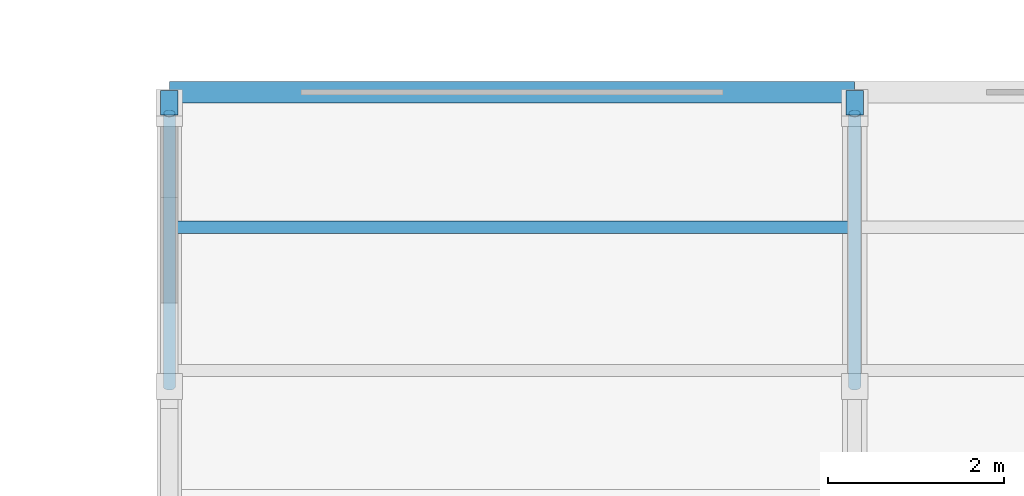
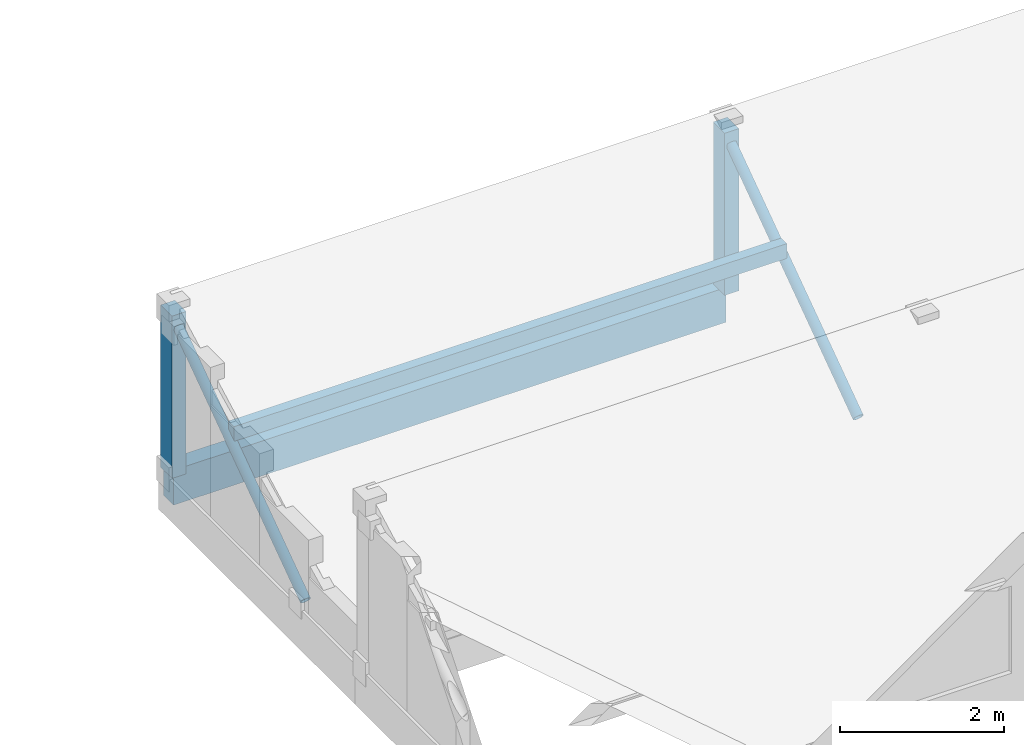
# One storey, part 19 of 81: 5 members, 1 beam.
"""IFC4 building model written with IfcOpenShell, lengths in metres."""

from ifc_helpers import new_model, si_unit, direction, frame, origin, origin_2d, place, context, subcontext, project, spatial, rectangle, hollow_circle, extrude, material, material_profile, profile_set, type_object, element, save


model = new_model("IFC4")

# Units and contexts
model_context = context("Model", 3, precision=1e-05, world=origin(), true_north=direction((0.0, 1.0)))
body_context = subcontext(model_context, "Body", "Model", "MODEL_VIEW")
ifc_project = project(units=[si_unit("LENGTHUNIT", "METRE"), si_unit("AREAUNIT", "SQUARE_METRE"), si_unit("VOLUMEUNIT", "CUBIC_METRE"), si_unit("PLANEANGLEUNIT", "RADIAN"), si_unit("MASSUNIT", "GRAM", prefix="KILO")], contexts=[model_context])

# Site, building, storey
site_placement = place(None, origin())
site = spatial("IfcSite", under=ifc_project, at=site_placement, CompositionType="ELEMENT")
building_placement = place(site_placement, origin())
building = spatial("IfcBuilding", under=site, at=building_placement, Name="Kahlenmark Community Centre", CompositionType="ELEMENT")
storey_placement = place(building_placement, frame((0.0, 0.0, 9.60009765625)))
storey = spatial("IfcBuildingStorey", under=building, at=storey_placement, Name="L02", CompositionType="ELEMENT", Elevation=9.60009765625)

# Beam
ifc_material_1 = material(Name="Glulam GL32h", Category="wood")
ifc_material_profile_1 = material_profile(ifc_material_1, rectangle(XDim=0.239990234375, YDim=0.52001953125, at=origin_2d()), Name="GL32h 240x520")
ifc_profile_set_1 = profile_set([ifc_material_profile_1], Name="Glulam GL32h")
beam_type = type_object("IfcBeamType", Name="BT-SPANDREL-GL32h240x520", PredefinedType="SPANDREL", material=ifc_profile_set_1)
beam_placement = place(storey_placement, frame((121.60009765625, 42.39990234375, -0.260009765625), z_axis=(1.0, 0.0, 0.0), x_axis=(0.0, 1.0, 0.0)))
element("IfcBeam", 1, at=beam_placement, inside=storey, type_object=beam_type, Name="L02 spandrel SP-SAW520", PredefinedType="SPANDREL", context=body_context, shape_type="SweptSolid", body=[
    extrude(rectangle(XDim=0.239990234375, YDim=0.52001953125, at=origin_2d()), origin(), (0.0, 0.0, 1.0), 7.7998046875),
])

# Members
ifc_material_2 = material(Name="Steel S355", Category="steel")
ifc_material_profile_2 = material_profile(ifc_material_2, hollow_circle(Radius=0.06982421875, WallThickness=0.00634765625, at=origin_2d()), Name="CHS 139.7x6.3")
ifc_profile_set_2 = profile_set([ifc_material_profile_2], Name="Steel S355")
member_type_1 = type_object("IfcMemberType", Name="MT-BRACE-CHS139.7x6.3", PredefinedType="BRACE", material=ifc_profile_set_2)
for number, where, z_axis, x_axis, name in (
    (2, (121.60009765625, 42.159912109375, 2.219970703125), (0.0, -0.816379526882, -0.577515773021), (1.0, 0.0, 0.0), "L02 brace SAW-DIAG"),
    (3, (129.39990234375, 42.159912109375, 2.219970703125), (0.0, -0.816379526882, -0.577515773021), (1.0, 0.0, 0.0), "L02 brace SAW-DIAG"),
):
    element("IfcMember", number, at=place(storey_placement, frame(where, z_axis=z_axis, x_axis=x_axis)), inside=storey, type_object=member_type_1, Name=name, PredefinedType="BRACE", context=body_context, shape_type="SweptSolid", body=[
        extrude(hollow_circle(Radius=0.06982421875, WallThickness=0.00634765625, at=origin_2d()), origin(), (0.0, 0.0, 1.0), 3.809326171875),
    ])
ifc_material_3 = material(Name="Glulam GL28h", Category="wood")
ifc_material_profile_3 = material_profile(ifc_material_3, rectangle(XDim=0.139892578125, YDim=0.219970703125, at=origin_2d()), Name="GL28h 140x220")
ifc_profile_set_3 = profile_set([ifc_material_profile_3], Name="Glulam GL28h")
member_type_2 = type_object("IfcMemberType", Name="MT-PURLIN-GL28h140x220", PredefinedType="PURLIN", material=ifc_profile_set_3)
member_placement = place(storey_placement, frame((121.60009765625, 40.864013671875, 1.444091796875), z_axis=(1.0, 0.0, 0.0), x_axis=(0.0, 1.0, 0.0)))
element("IfcMember", 4, at=member_placement, inside=storey, type_object=member_type_2, Name="L02 purlin PR-SAW220", PredefinedType="PURLIN", context=body_context, shape_type="SweptSolid", body=[
    extrude(rectangle(XDim=0.139892578125, YDim=0.219970703125, at=origin_2d()), origin(), (0.0, 0.0, 1.0), 7.7998046875),
])
ifc_material_profile_4 = material_profile(ifc_material_3, rectangle(XDim=0.199951171875, YDim=0.280029296875, at=origin_2d()), Name="GL28h 200x280")
ifc_profile_set_4 = profile_set([ifc_material_profile_4], Name="Glulam GL28h")
member_type_3 = type_object("IfcMemberType", Name="MT-STRUT-GL28h200x280", PredefinedType="STRUT", material=ifc_profile_set_4)
for number, where, z_axis, x_axis, name in (
    (5, (121.60009765625, 42.280029296875, 0.0), (0.0, 0.0, 1.0), (1.0, 0.0, 0.0), "L02 strut SAW-POST"),
    (6, (129.39990234375, 42.280029296875, 0.0), (0.0, 0.0, 1.0), (1.0, 0.0, 0.0), "L02 strut SAW-POST"),
):
    element("IfcMember", number, at=place(storey_placement, frame(where, z_axis=z_axis, x_axis=x_axis)), inside=storey, type_object=member_type_3, Name=name, PredefinedType="STRUT", context=body_context, shape_type="SweptSolid", body=[
        extrude(rectangle(XDim=0.199951171875, YDim=0.280029296875, at=origin_2d()), origin(), (0.0, 0.0, 1.0), 2.419921875),
    ])

save(model, "model.ifc")
